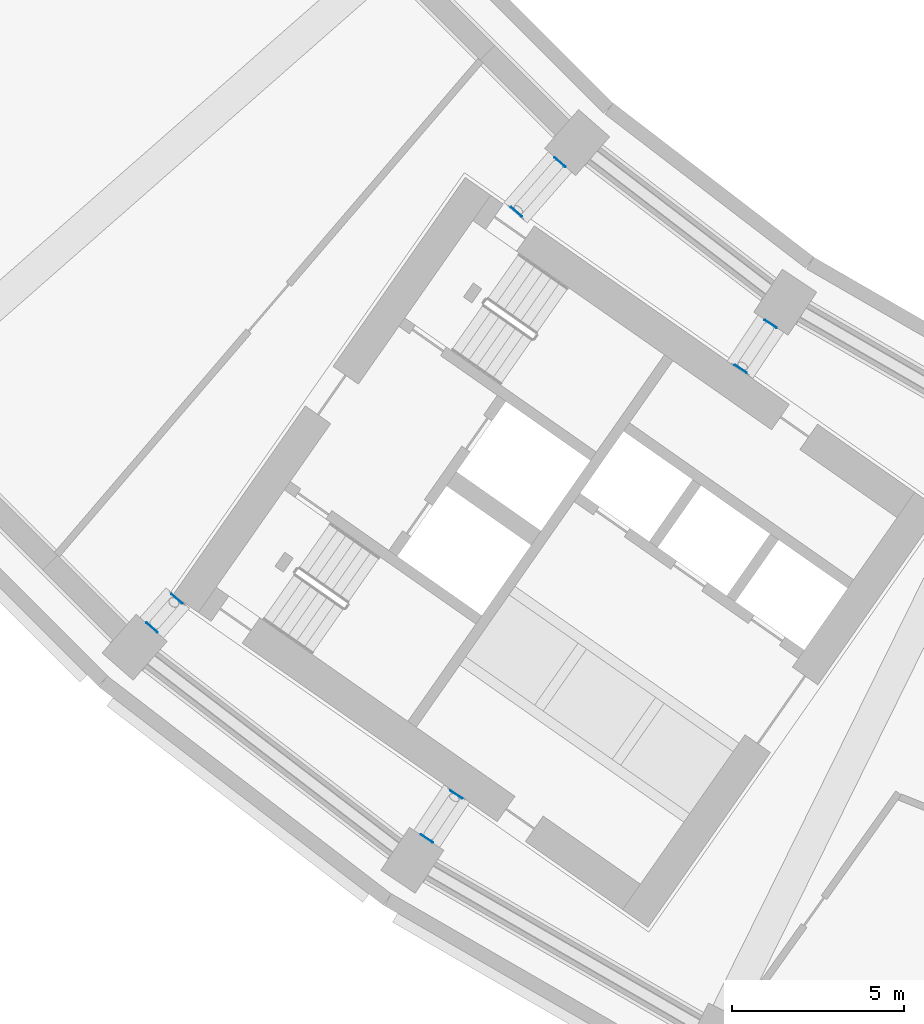
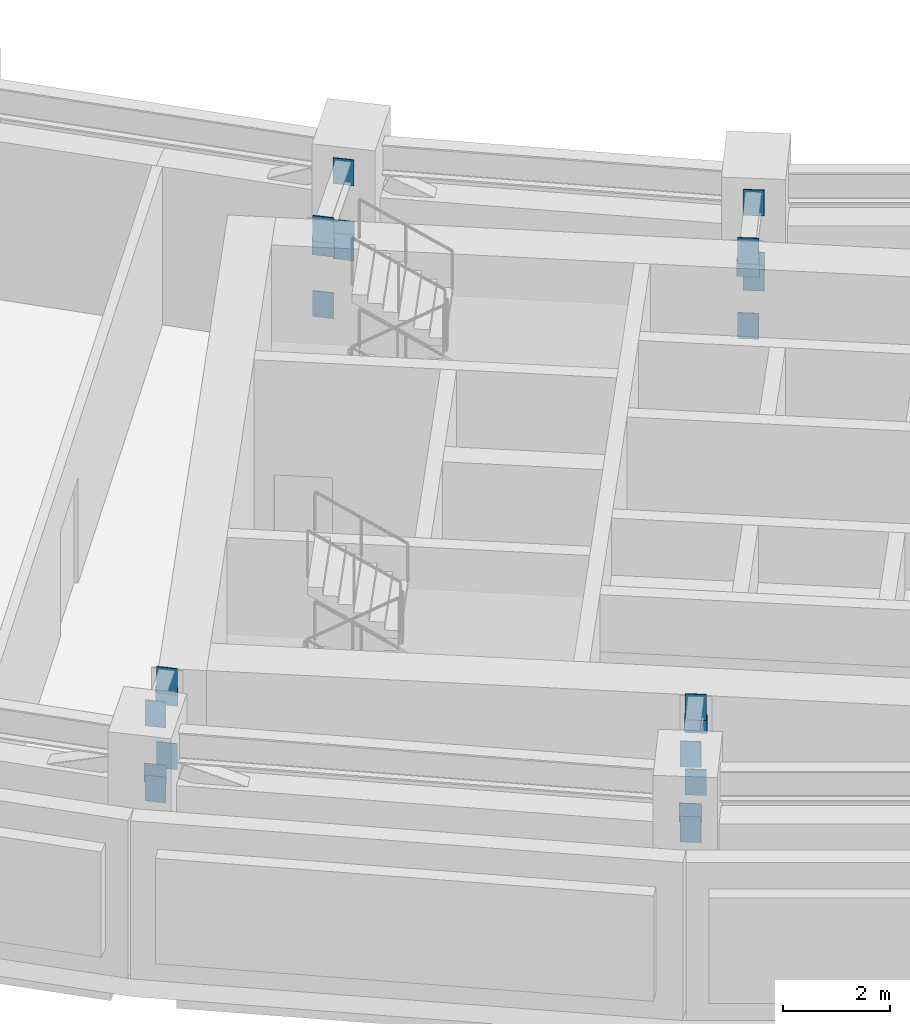
# One storey, part 13 of 25: 24 discrete accessories.
"""IFC4 building model written with IfcOpenShell, lengths in metres."""

from ifc_helpers import new_model, si_unit, direction, frame, origin, origin_2d, place, context, subcontext, project, spatial, rectangle, extrude, material, layer, layer_set, type_object, element, save


model = new_model("IFC4")

# Units and contexts
model_context = context("Model", 3, precision=1e-05, world=origin(), true_north=direction((0.0, 1.0)))
body_context = subcontext(model_context, "Body", "Model", "MODEL_VIEW")
ifc_project = project(units=[si_unit("LENGTHUNIT", "METRE"), si_unit("AREAUNIT", "SQUARE_METRE"), si_unit("VOLUMEUNIT", "CUBIC_METRE"), si_unit("PLANEANGLEUNIT", "RADIAN"), si_unit("MASSUNIT", "GRAM", prefix="KILO")], contexts=[model_context])

# Site, building, storey
site_placement = place(None, origin())
site = spatial("IfcSite", under=ifc_project, at=site_placement, CompositionType="ELEMENT")
building_placement = place(site_placement, origin())
building = spatial("IfcBuilding", under=site, at=building_placement, Name="Qamariyya Broadcast Tower", CompositionType="ELEMENT")
storey_placement = place(building_placement, frame((0.0, 0.0, 144.300048828125)))
storey = spatial("IfcBuildingStorey", under=building, at=storey_placement, Name="L33", CompositionType="ELEMENT", Elevation=144.300048828125)

# Discrete accessories
ifc_material = material(Name="Steel S355", Category="steel")
ifc_layer = layer(ifc_material, 0.02001953125)
ifc_layer_set = layer_set([ifc_layer], Name="End plate 20 Steel S355")
discrete_accessory_type = type_object("IfcDiscreteAccessoryType", Name="End plate 20 Steel S355", PredefinedType="BRACKET", material=ifc_layer_set)
for number, where, z_axis, x_axis, name in (
    (1, (-38.907958984375, -44.365966796875, 4.15966796875), (0.0, 0.0, 1.0), (-0.751839807479, 0.6593458151, 0.0), "End plate EP1 L33 R05 tc"),
    (2, (-40.172119140625, -45.8076171875, 4.15966796875), (0.0, 0.0, 1.0), (-0.751839807479, 0.6593458151, 0.0), "End plate EP1 L33 R05 tc"),
    (3, (-38.907958984375, -44.365966796875, 2.44970703125), (0.0, 0.0, 1.0), (-0.751839807479, 0.6593458151, 0.0), "End plate EP1 L33 R05 bc"),
    (4, (-40.172119140625, -45.8076171875, 2.44970703125), (0.0, 0.0, 1.0), (-0.751839807479, 0.6593458151, 0.0), "End plate EP1 L33 R05 bc"),
):
    element("IfcDiscreteAccessory", number, at=place(storey_placement, frame(where, z_axis=z_axis, x_axis=x_axis)), inside=storey, type_object=discrete_accessory_type, Name=name, PredefinedType="BRACKET", context=body_context, shape_type="SweptSolid", body=[
        extrude(rectangle(XDim=0.39990234375, YDim=0.02001953125, at=origin_2d()), origin(), (0.0, 0.0, 1.0), 0.590087890625),
    ])
for number, where, z_axis, x_axis, name in (
    (5, (-38.907958984375, -44.365966796875, 2.920654296875), (0.0, 0.0, 1.0), (-0.751839807479, 0.6593458151, 0.0), "End plate EP1 L33 R05 dg"),
    (6, (-40.172119140625, -45.8076171875, 3.85546875), (0.0, 0.0, 1.0), (-0.751839807479, 0.6593458151, 0.0), "End plate EP1 L33 R05 dg"),
):
    element("IfcDiscreteAccessory", number, at=place(storey_placement, frame(where, z_axis=z_axis, x_axis=x_axis)), inside=storey, type_object=discrete_accessory_type, Name=name, PredefinedType="BRACKET", context=body_context, shape_type="SweptSolid", body=[
        extrude(rectangle(XDim=0.423828125, YDim=0.02001953125, at=origin_2d()), origin(), (0.0, 0.0, 1.0), 0.423828125),
    ])
for number, where, z_axis, x_axis, name in (
    (7, (-50.034912109375, -57.053955078125, 4.15966796875), (0.0, 0.0, 1.0), (-0.751839807479, 0.6593458151, 0.0), "End plate EP1 L33 R05 tc"),
    (8, (-50.762939453125, -57.884033203125, 4.15966796875), (0.0, 0.0, 1.0), (-0.751839807479, 0.6593458151, 0.0), "End plate EP1 L33 R05 tc"),
    (9, (-50.034912109375, -57.053955078125, 2.44970703125), (0.0, 0.0, 1.0), (-0.751839807479, 0.6593458151, 0.0), "End plate EP1 L33 R05 bc"),
    (10, (-50.762939453125, -57.884033203125, 2.44970703125), (0.0, 0.0, 1.0), (-0.751839807479, 0.6593458151, 0.0), "End plate EP1 L33 R05 bc"),
):
    element("IfcDiscreteAccessory", number, at=place(storey_placement, frame(where, z_axis=z_axis, x_axis=x_axis)), inside=storey, type_object=discrete_accessory_type, Name=name, PredefinedType="BRACKET", context=body_context, shape_type="SweptSolid", body=[
        extrude(rectangle(XDim=0.39990234375, YDim=0.02001953125, at=origin_2d()), origin(), (0.0, 0.0, 1.0), 0.590087890625),
    ])
for number, where, z_axis, x_axis, name in (
    (11, (-50.034912109375, -57.053955078125, 3.8955078125), (0.0, 0.0, 1.0), (-0.751839807479, 0.6593458151, 0.0), "End plate EP1 L33 R05 dg"),
    (12, (-50.762939453125, -57.884033203125, 2.880615234375), (0.0, 0.0, 1.0), (-0.751839807479, 0.6593458151, 0.0), "End plate EP1 L33 R05 dg"),
):
    element("IfcDiscreteAccessory", number, at=place(storey_placement, frame(where, z_axis=z_axis, x_axis=x_axis)), inside=storey, type_object=discrete_accessory_type, Name=name, PredefinedType="BRACKET", context=body_context, shape_type="SweptSolid", body=[
        extrude(rectangle(XDim=0.423828125, YDim=0.02001953125, at=origin_2d()), origin(), (0.0, 0.0, 1.0), 0.423828125),
    ])
for number, where, z_axis, x_axis, name in (
    (13, (-32.7841796875, -49.06494140625, 4.15966796875), (0.0, 0.0, 1.0), (-0.831469612303, 0.55557023302, 0.0), "End plate EP1 L33 R06 tc"),
    (14, (-33.656005859375, -50.369873046875, 4.15966796875), (0.0, 0.0, 1.0), (-0.831469612303, 0.55557023302, 0.0), "End plate EP1 L33 R06 tc"),
    (15, (-32.7841796875, -49.06494140625, 2.44970703125), (0.0, 0.0, 1.0), (-0.831469612303, 0.55557023302, 0.0), "End plate EP1 L33 R06 bc"),
    (16, (-33.656005859375, -50.369873046875, 2.44970703125), (0.0, 0.0, 1.0), (-0.831469612303, 0.55557023302, 0.0), "End plate EP1 L33 R06 bc"),
):
    element("IfcDiscreteAccessory", number, at=place(storey_placement, frame(where, z_axis=z_axis, x_axis=x_axis)), inside=storey, type_object=discrete_accessory_type, Name=name, PredefinedType="BRACKET", context=body_context, shape_type="SweptSolid", body=[
        extrude(rectangle(XDim=0.39990234375, YDim=0.02001953125, at=origin_2d()), origin(), (0.0, 0.0, 1.0), 0.590087890625),
    ])
for number, where, z_axis, x_axis, name in (
    (17, (-32.7841796875, -49.06494140625, 2.91064453125), (0.0, 0.0, 1.0), (-0.831469612303, 0.55557023302, 0.0), "End plate EP1 L33 R06 dg"),
    (18, (-33.656005859375, -50.369873046875, 3.865478515625), (0.0, 0.0, 1.0), (-0.831469612303, 0.55557023302, 0.0), "End plate EP1 L33 R06 dg"),
):
    element("IfcDiscreteAccessory", number, at=place(storey_placement, frame(where, z_axis=z_axis, x_axis=x_axis)), inside=storey, type_object=discrete_accessory_type, Name=name, PredefinedType="BRACKET", context=body_context, shape_type="SweptSolid", body=[
        extrude(rectangle(XDim=0.423828125, YDim=0.02001953125, at=origin_2d()), origin(), (0.0, 0.0, 1.0), 0.423828125),
    ])
for number, where, z_axis, x_axis, name in (
    (19, (-41.91943359375, -62.73681640625, 4.15966796875), (0.0, 0.0, 1.0), (-0.831469612303, 0.55557023302, 0.0), "End plate EP1 L33 R06 tc"),
    (20, (-42.7734375, -64.014892578125, 4.15966796875), (0.0, 0.0, 1.0), (-0.831469612303, 0.55557023302, 0.0), "End plate EP1 L33 R06 tc"),
    (21, (-41.91943359375, -62.73681640625, 2.44970703125), (0.0, 0.0, 1.0), (-0.831469612303, 0.55557023302, 0.0), "End plate EP1 L33 R06 bc"),
    (22, (-42.7734375, -64.014892578125, 2.44970703125), (0.0, 0.0, 1.0), (-0.831469612303, 0.55557023302, 0.0), "End plate EP1 L33 R06 bc"),
):
    element("IfcDiscreteAccessory", number, at=place(storey_placement, frame(where, z_axis=z_axis, x_axis=x_axis)), inside=storey, type_object=discrete_accessory_type, Name=name, PredefinedType="BRACKET", context=body_context, shape_type="SweptSolid", body=[
        extrude(rectangle(XDim=0.39990234375, YDim=0.02001953125, at=origin_2d()), origin(), (0.0, 0.0, 1.0), 0.590087890625),
    ])
for number, where, z_axis, x_axis, name in (
    (23, (-41.91943359375, -62.73681640625, 3.866943359375), (0.0, 0.0, 1.0), (-0.831469612303, 0.55557023302, 0.0), "End plate EP1 L33 R06 dg"),
    (24, (-42.7734375, -64.014892578125, 2.9091796875), (0.0, 0.0, 1.0), (-0.831469612303, 0.55557023302, 0.0), "End plate EP1 L33 R06 dg"),
):
    element("IfcDiscreteAccessory", number, at=place(storey_placement, frame(where, z_axis=z_axis, x_axis=x_axis)), inside=storey, type_object=discrete_accessory_type, Name=name, PredefinedType="BRACKET", context=body_context, shape_type="SweptSolid", body=[
        extrude(rectangle(XDim=0.423828125, YDim=0.02001953125, at=origin_2d()), origin(), (0.0, 0.0, 1.0), 0.423828125),
    ])

save(model, "model.ifc")
